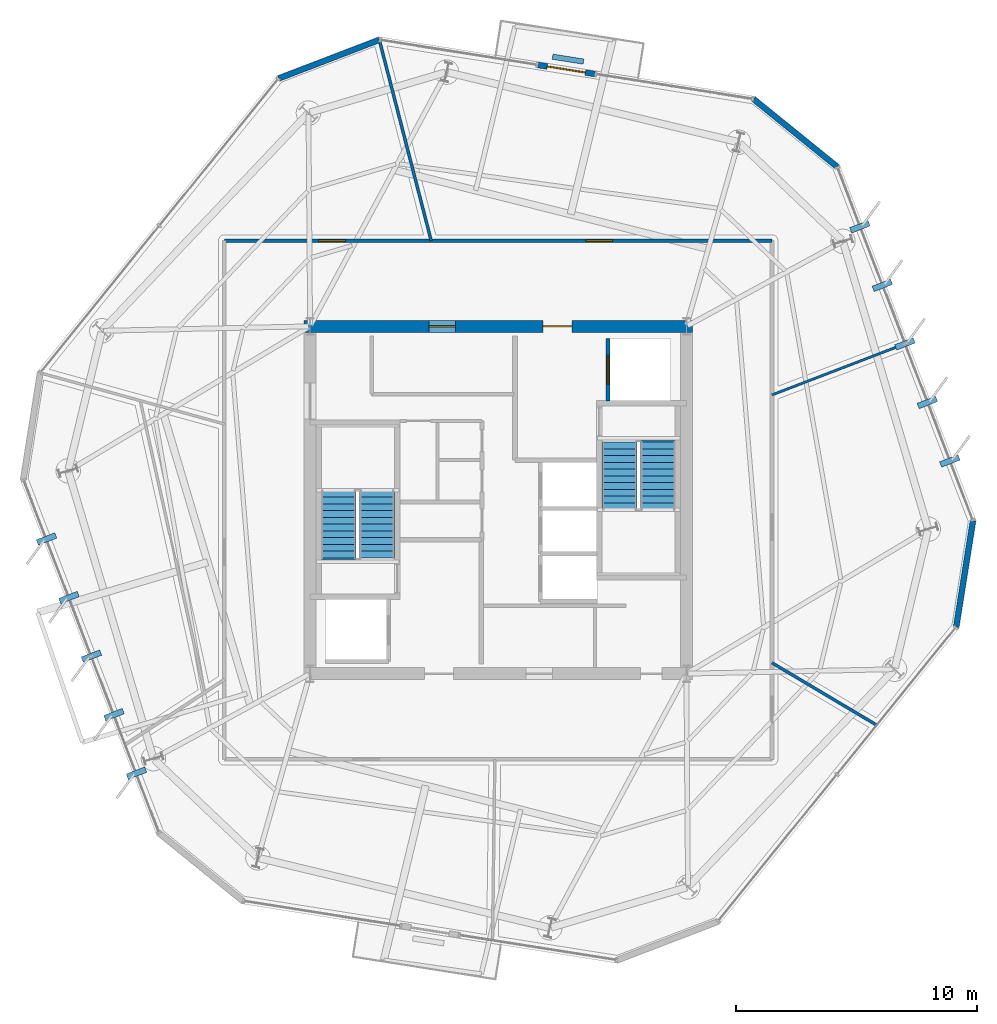
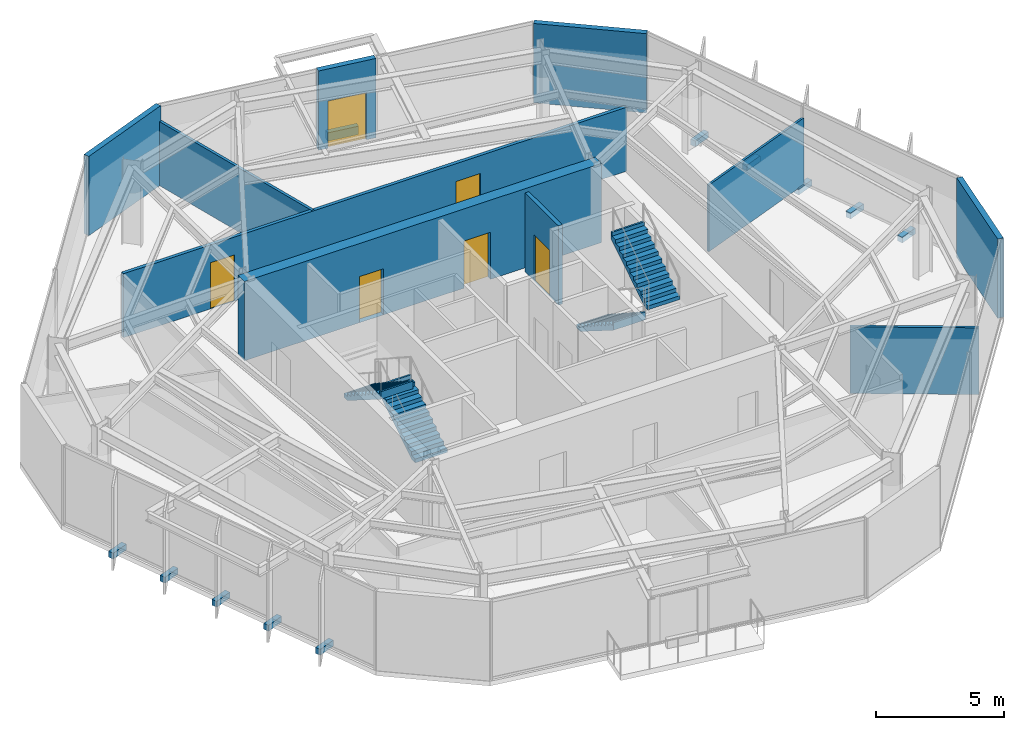
# One storey, part 8 of 11: 11 walls, 10 discrete accessories, 6 doors, 4 stair flights, 6 openings, 2 elements without a shape of their own.
"""IFC4 building model written with IfcOpenShell, lengths in metres."""

from ifc_helpers import new_model, si_unit, direction, frame, frame_2d, origin, origin_2d, place, context, subcontext, project, spatial, polyline, rectangle, outline, extrude, material, layer, layer_set, type_object, element, fill, aggregate, save


model = new_model("IFC4")

# Units and contexts
model_context = context("Model", 3, precision=1e-05, world=origin(), true_north=direction((0.0, 1.0)))
body_context = subcontext(model_context, "Body", "Model", "MODEL_VIEW")
ifc_project = project(units=[si_unit("LENGTHUNIT", "METRE"), si_unit("AREAUNIT", "SQUARE_METRE"), si_unit("VOLUMEUNIT", "CUBIC_METRE"), si_unit("PLANEANGLEUNIT", "RADIAN"), si_unit("MASSUNIT", "GRAM", prefix="KILO")], contexts=[model_context])

# Site, building, storey
site_placement = place(None, origin())
site = spatial("IfcSite", under=ifc_project, at=site_placement, CompositionType="ELEMENT")
building_placement = place(site_placement, origin())
building = spatial("IfcBuilding", under=site, at=building_placement, Name="Kranzbogen Civic Tower", CompositionType="ELEMENT")
storey_placement = place(building_placement, frame((0.0, 0.0, 228.800048828125)))
storey = spatial("IfcBuildingStorey", under=building, at=storey_placement, Name="L55", CompositionType="ELEMENT", Elevation=228.800048828125)

# Wall, openings, doors
ifc_material_1 = material(Name="Double-Stud Acoustic Gypsum Partition")
ifc_layer_1 = layer(ifc_material_1, 0.14990234375, Name="Double-Stud Acoustic Gypsum Partition")
ifc_layer_set_1 = layer_set([ifc_layer_1], Name="Double-Stud Acoustic Gypsum Partition")
wall_type_1 = type_object("IfcWallType", Name="Acoustic Corridor and Clinical Partition 150 mm", PredefinedType="PARTITIONING", material=ifc_layer_set_1)
wall_1_placement = place(storey_placement, frame((13.64990234375, 35.75, 0.0), z_axis=(0.0, 0.0, 1.0), x_axis=(1.0, 0.0, 0.0)))
wall_1 = element("IfcWall", 1, at=wall_1_placement, inside=storey, type_object=wall_type_1, Name="L55 corridor partition 01", PredefinedType="PARTITIONING", context=body_context, shape_type="SweptSolid", body=[
    extrude(rectangle(XDim=22.7001953125, YDim=0.14990234375, at=frame_2d((11.35009765625, 0.0))), origin(), (0.0, 0.0, 1.0), 3.050048828125),
])
opening_1_placement = place(wall_1_placement, frame((14.985107421875, 0.0, 0.0)))
opening_1 = element("IfcOpeningElement", 2, at=opening_1_placement, cuts=wall_1, Name="Opening D-COR60", PredefinedType="OPENING", context=body_context, shape_type="SweptSolid", body=[
    extrude(rectangle(XDim=1.10009765625, YDim=2.199951171875, at=frame_2d((0.550048828125, 1.10009765625))), frame((0.0, 0.0849609375, 0.0), z_axis=(0.0, -1.0, 0.0), x_axis=(1.0, 0.0, 0.0)), (0.0, 0.0, 1.0), 0.169921875),
])
opening_2_placement = place(wall_1_placement, frame((3.909912109375, 0.0, 0.0)))
opening_2 = element("IfcOpeningElement", 3, at=opening_2_placement, cuts=wall_1, Name="Opening D-COR60", PredefinedType="OPENING", context=body_context, shape_type="SweptSolid", body=[
    extrude(rectangle(XDim=1.10009765625, YDim=2.199951171875, at=frame_2d((0.550048828125, 1.10009765625))), frame((0.0, 0.0849609375, 0.0), z_axis=(0.0, -1.0, 0.0), x_axis=(1.0, 0.0, 0.0)), (0.0, 0.0, 1.0), 0.169921875),
])
ifc_material_2 = material(Name="Oak Timber and Fire Core", Category="wood")
door_type_1 = type_object("IfcDoorType", Name="Corridor Acoustic Fire Door 1100x2200", OperationType="NOTDEFINED", PredefinedType="DOOR", material=ifc_material_2)
door_1_placement = place(opening_1_placement, origin())
door_1 = element("IfcDoor", 4, at=door_1_placement, inside=storey, type_object=door_type_1, Name="L55 Protocol Entrance Reception door", OperationType="SINGLE_SWING_LEFT", OverallHeight=2.199951171875, OverallWidth=1.10009765625, PredefinedType="DOOR", context=body_context, shape_type="SweptSolid", body=[
    extrude(rectangle(XDim=1.10009765625, YDim=2.199951171875, at=frame_2d((0.550048828125, 1.10009765625))), frame((0.0, 0.02490234375, 0.0), z_axis=(0.0, -1.0, 0.0), x_axis=(1.0, 0.0, 0.0)), (0.0, 0.0, 1.0), 0.050048828125),
])
fill(opening_1, door_1)
door_2_placement = place(opening_2_placement, origin())
door_2 = element("IfcDoor", 5, at=door_2_placement, inside=storey, type_object=door_type_1, Name="L55 Civic Reference Library door", OperationType="SINGLE_SWING_RIGHT", OverallHeight=2.199951171875, OverallWidth=1.10009765625, PredefinedType="DOOR", context=body_context, shape_type="SweptSolid", body=[
    extrude(rectangle(XDim=1.10009765625, YDim=2.199951171875, at=frame_2d((0.550048828125, 1.10009765625))), frame((0.0, 0.02490234375, 0.0), z_axis=(0.0, -1.0, 0.0), x_axis=(1.0, 0.0, 0.0)), (0.0, 0.0, 1.0), 0.050048828125),
])
fill(opening_2, door_2)

# Walls
ifc_material_3 = material(Name="Insulated Metal-Stud Gypsum Partition")
ifc_layer_2 = layer(ifc_material_3, 0.125, Name="Insulated Metal-Stud Gypsum Partition")
ifc_layer_set_2 = layer_set([ifc_layer_2], Name="Insulated Metal-Stud Gypsum Partition")
wall_type_2 = type_object("IfcWallType", Name="Acoustic Inter-Room Partition 125 mm", PredefinedType="PARTITIONING", material=ifc_layer_set_2)
wall_2_placement = place(storey_placement, frame((22.221923828125, 35.75, 0.0), z_axis=(0.0, 0.0, 1.0), x_axis=(-0.25014469809, 0.968208464132, 0.0)))
element("IfcWall", 6, at=wall_2_placement, inside=storey, type_object=wall_type_2, Name="L55 radial room partition 01", PredefinedType="PARTITIONING", context=body_context, shape_type="SweptSolid", body=[
    extrude(rectangle(XDim=8.5830078125, YDim=0.125, at=frame_2d((4.29150390625, 0.0))), origin(), (0.0, 0.0, 1.0), 3.050048828125),
])
wall_3_placement = place(storey_placement, frame((36.35009765625, 18.25, 0.0), z_axis=(0.0, 0.0, 1.0), x_axis=(0.859461673758, -0.511200187148, 0.0)))
element("IfcWall", 7, at=wall_3_placement, inside=storey, type_object=wall_type_2, Name="L55 radial room partition 05", PredefinedType="PARTITIONING", context=body_context, shape_type="SweptSolid", body=[
    extrude(rectangle(XDim=5.0390625, YDim=0.125, at=frame_2d((2.51953125, 0.0))), origin(), (0.0, 0.0, 1.0), 3.179931640625),
])
ifc_material_4 = material(Name="Architectural Precast Terracotta Concrete C40/50", Category="masonry")
ifc_layer_3 = layer(ifc_material_4, 0.219970703125, Name="Architectural Precast Terracotta Concrete C40/50")
ifc_layer_set_3 = layer_set([ifc_layer_3], Name="Architectural Precast Terracotta Concrete C40/50")
wall_type_3 = type_object("IfcWallType", Name="Architectural Tree Planter Kerb Wall 220 mm", PredefinedType="USERDEFINED", material=ifc_layer_set_3)
wall_4_placement = place(storey_placement, frame((28.537109375, 43.175048828125, 0.0), z_axis=(0.0, 0.0, 1.0), x_axis=(-0.98763322112, 0.156782079779, 0.0)))
element("IfcWall", 8, at=wall_4_placement, inside=storey, type_object=wall_type_3, Name="L55 landscaped tree balcony planter L55-TB2", ObjectType="PLANTER_WALL", PredefinedType="USERDEFINED", context=body_context, shape_type="SweptSolid", body=[
    extrude(rectangle(XDim=1.30029296875, YDim=0.219970703125, at=frame_2d((0.650146484375, 0.0))), origin(), (0.0, 0.0, 1.0), 0.39990234375),
])

# Wall, openings, doors
ifc_material_5 = material(Name="Concrete C45/55", Category="concrete")
ifc_layer_4 = layer(ifc_material_5, 0.5, Name="Concrete C45/55")
ifc_layer_set_4 = layer_set([ifc_layer_4], Name="Concrete C45/55")
wall_type_4 = type_object("IfcWallType", Name="Central Core Shear Wall 500 mm", PredefinedType="SHEAR", material=ifc_layer_set_4)
wall_5_placement = place(storey_placement, frame((33.050048828125, 32.199951171875, 0.0), z_axis=(0.0, 0.0, 1.0), x_axis=(-1.0, 0.0, 0.0)))
wall_5 = element("IfcWall", 9, at=wall_5_placement, inside=storey, type_object=wall_type_4, Name="L55 central core North shear wall", PredefinedType="SHEAR", context=body_context, shape_type="SweptSolid", body=[
    extrude(rectangle(XDim=16.10009765625, YDim=0.5, at=frame_2d((8.050048828125, 0.0))), origin(), (0.0, 0.0, 1.0), 3.780029296875),
])
opening_3_placement = place(wall_5_placement, frame((5.0, 0.0, 0.0)))
opening_3 = element("IfcOpeningElement", 10, at=opening_3_placement, cuts=wall_5, Name="Opening D-EX120", PredefinedType="OPENING", context=body_context, shape_type="SweptSolid", body=[
    extrude(rectangle(XDim=1.199951171875, YDim=2.25, at=frame_2d((0.60009765625, 1.125))), frame((0.0, 0.260009765625, 0.0), z_axis=(0.0, -1.0, 0.0), x_axis=(1.0, 0.0, 0.0)), (0.0, 0.0, 1.0), 0.52001953125),
])
opening_4_placement = place(wall_5_placement, frame((9.824951171875, 0.0, 0.0)))
opening_4 = element("IfcOpeningElement", 11, at=opening_4_placement, cuts=wall_5, Name="Opening D-COR60", PredefinedType="OPENING", context=body_context, shape_type="SweptSolid", body=[
    extrude(rectangle(XDim=1.10009765625, YDim=2.199951171875, at=frame_2d((0.550048828125, 1.10009765625))), frame((0.0, 0.260009765625, 0.0), z_axis=(0.0, -1.0, 0.0), x_axis=(1.0, 0.0, 0.0)), (0.0, 0.0, 1.0), 0.52001953125),
])
door_3_placement = place(opening_4_placement, origin())
door_3 = element("IfcDoor", 12, at=door_3_placement, inside=storey, type_object=door_type_1, Name="L55 DAT1 comms room door", OperationType="SINGLE_SWING_LEFT", OverallHeight=2.199951171875, OverallWidth=1.10009765625, PredefinedType="DOOR", context=body_context, shape_type="SweptSolid", body=[
    extrude(rectangle(XDim=1.10009765625, YDim=2.199951171875, at=frame_2d((0.550048828125, 1.10009765625))), frame((0.0, 0.02490234375, 0.0), z_axis=(0.0, -1.0, 0.0), x_axis=(1.0, 0.0, 0.0)), (0.0, 0.0, 1.0), 0.050048828125),
])
fill(opening_4, door_3)
ifc_material_6 = material(Name="Steel S355", Category="steel")
door_type_2 = type_object("IfcDoorType", Name="Exit Passageway Fire Door 1200x2250", OperationType="NOTDEFINED", PredefinedType="DOOR", material=ifc_material_6)
door_4_placement = place(opening_3_placement, origin())
door_4 = element("IfcDoor", 13, at=door_4_placement, inside=storey, type_object=door_type_2, Name="L55 East firefighting lobby corridor door", OperationType="SINGLE_SWING_RIGHT", OverallHeight=2.25, OverallWidth=1.199951171875, PredefinedType="DOOR", context=body_context, shape_type="SweptSolid", body=[
    extrude(rectangle(XDim=1.199951171875, YDim=2.25, at=frame_2d((0.60009765625, 1.125))), frame((0.0, 0.02490234375, 0.0), z_axis=(0.0, -1.0, 0.0), x_axis=(1.0, 0.0, 0.0)), (0.0, 0.0, 1.0), 0.050048828125),
])
fill(opening_3, door_4)

# Wall
ifc_material_7 = material(Name="Demountable Aluminium and Gypsum Partition", Category="aluminium")
ifc_layer_5 = layer(ifc_material_7, 0.10009765625, Name="Demountable Aluminium and Gypsum Partition")
ifc_layer_set_5 = layer_set([ifc_layer_5], Name="Demountable Aluminium and Gypsum Partition")
wall_type_5 = type_object("IfcWallType", Name="Demountable Office Partition 100 mm", PredefinedType="MOVABLE", material=ifc_layer_set_5)
wall_6_placement = place(storey_placement, frame((36.35009765625, 29.35693359375, 0.0), z_axis=(0.0, 0.0, 1.0), x_axis=(0.933551363276, 0.358443652652, 0.0)))
element("IfcWall", 14, at=wall_6_placement, inside=storey, type_object=wall_type_5, Name="L55 radial room partition 06", PredefinedType="MOVABLE", context=body_context, shape_type="SweptSolid", body=[
    extrude(rectangle(XDim=5.897705078125, YDim=0.10009765625, at=frame_2d((2.94873046875, 0.0))), origin(), (0.0, 0.0, 1.0), 3.179931640625),
])

# Wall, opening, door
ifc_material_8 = material(Name="Gypsum Fireboard Shaftliner")
ifc_layer_6 = layer(ifc_material_8, 0.175048828125, Name="Gypsum Fireboard Shaftliner")
ifc_layer_set_6 = layer_set([ifc_layer_6], Name="Gypsum Fireboard Shaftliner")
wall_type_6 = type_object("IfcWallType", Name="Fire-Rated Lift and Service Shaft Wall 175 mm", PredefinedType="PARTITIONING", material=ifc_layer_set_6)
wall_7_placement = place(storey_placement, frame((29.550048828125, 29.10009765625, 0.0), z_axis=(0.0, 0.0, 1.0), x_axis=(0.0, 1.0, 0.0)))
wall_7 = element("IfcWall", 15, at=wall_7_placement, inside=storey, type_object=wall_type_6, Name="L55 lift FF-02 landing wall", PredefinedType="PARTITIONING", context=body_context, shape_type="SweptSolid", body=[
    extrude(rectangle(XDim=2.599853515625, YDim=0.175048828125, at=frame_2d((1.2998046875, 0.0))), origin(), (0.0, 0.0, 1.0), 3.780029296875),
])
opening_5_placement = place(wall_7_placement, frame((0.699951171875, 0.0, 0.0)))
opening_5 = element("IfcOpeningElement", 16, at=opening_5_placement, cuts=wall_7, Name="Opening LD-FF-02", PredefinedType="OPENING", context=body_context, shape_type="SweptSolid", body=[
    extrude(rectangle(XDim=1.199951171875, YDim=2.199951171875, at=frame_2d((0.60009765625, 1.10009765625))), frame((0.0, 0.09765625, 0.0), z_axis=(0.0, -1.0, 0.0), x_axis=(1.0, 0.0, 0.0)), (0.0, 0.0, 1.0), 0.195068359375),
])
ifc_material_9 = material(Name="Pale Anodised Aluminium", Category="aluminium")
door_type_3 = type_object("IfcDoorType", Name="Firefighting and Stretcher Lift Sliding Landing Door 1200x2200", OperationType="DOUBLE_DOOR_SLIDING", PredefinedType="DOOR", material=ifc_material_9)
door_5_placement = place(opening_5_placement, origin())
door_5 = element("IfcDoor", 17, at=door_5_placement, inside=storey, type_object=door_type_3, Name="L55 lift FF-02 sliding landing door", OperationType="DOUBLE_DOOR_SLIDING", OverallHeight=2.199951171875, OverallWidth=1.199951171875, PredefinedType="DOOR", context=body_context, shape_type="SweptSolid", body=[
    extrude(rectangle(XDim=1.199951171875, YDim=2.199951171875, at=frame_2d((0.60009765625, 1.10009765625))), frame((0.0, 0.02490234375, 0.0), z_axis=(0.0, -1.0, 0.0), x_axis=(1.0, 0.0, 0.0)), (0.0, 0.0, 1.0), 0.050048828125),
])
fill(opening_5, door_5)

ifc_layer_7 = layer(ifc_material_9, 0.239990234375, Name="Pale Anodised Aluminium")
ifc_layer_set_7 = layer_set([ifc_layer_7], Name="Pale Anodised Aluminium")
wall_type_7 = type_object("IfcWallType", Name="Insulated Aluminium Facade Portal Wall 240 mm", PredefinedType="STANDARD", material=ifc_layer_set_7)
wall_8_placement = place(storey_placement, frame((29.011962890625, 42.660888671875, 0.0), z_axis=(0.0, 0.0, 1.0), x_axis=(-0.987632277634, 0.156788023059, 0.0)))
wall_8 = element("IfcWall", 18, at=wall_8_placement, inside=storey, type_object=wall_type_7, Name="L55 exterior entrance portal wall 1", PredefinedType="STANDARD", context=body_context, shape_type="SweptSolid", body=[
    extrude(rectangle(XDim=2.399658203125, YDim=0.239990234375, at=frame_2d((1.19970703125, 0.0))), origin(), (0.0, 0.0, 1.0), 3.780029296875),
])
opening_6_placement = place(wall_8_placement, frame((0.39990234375, 0.0, 0.0)))
opening_6 = element("IfcOpeningElement", 19, at=opening_6_placement, cuts=wall_8, Name="Opening D-TER", PredefinedType="OPENING", context=body_context, shape_type="SweptSolid", body=[
    extrude(rectangle(XDim=1.60009765625, YDim=2.25, at=frame_2d((0.800048828125, 1.125))), frame((0.0, 0.1298828125, 0.0), z_axis=(0.0, -1.0, 0.0), x_axis=(1.0, 0.0, 0.0)), (0.0, 0.0, 1.0), 0.260009765625),
])
ifc_material_10 = material(Name="Anodised Bronze and Triple Glass", Category="glass")
door_type_4 = type_object("IfcDoorType", Name="Glazed Terrace and Balcony Double Door 1600x2250", OperationType="DOUBLE_DOOR_SINGLE_SWING", PredefinedType="DOOR", material=ifc_material_10)
door_6_placement = place(opening_6_placement, frame((1.60009765625, 0.0, 0.0), z_axis=(0.0, 0.0, 1.0), x_axis=(-1.0, 0.0, 0.0)))
door_6 = element("IfcDoor", 20, at=door_6_placement, inside=storey, type_object=door_type_4, Name="L55 tree balcony access door L55-TB2", OperationType="DOUBLE_DOOR_SINGLE_SWING", OverallHeight=2.25, OverallWidth=1.60009765625, PredefinedType="DOOR", context=body_context, shape_type="SweptSolid", body=[
    extrude(rectangle(XDim=1.60009765625, YDim=2.25, at=frame_2d((0.800048828125, 1.125))), frame((0.0, 0.02490234375, 0.0), z_axis=(0.0, -1.0, 0.0), x_axis=(1.0, 0.0, 0.0)), (0.0, 0.0, 1.0), 0.050048828125),
])
fill(opening_6, door_6)

# Walls
wall_9_placement = place(storey_placement, frame((20.070068359375, 44.076904296875, 0.0), z_axis=(0.0, 0.0, 1.0), x_axis=(-0.933677607011, -0.358114682982, 0.0)))
element("IfcWall", 21, at=wall_9_placement, inside=storey, type_object=wall_type_7, Name="L55 chamfered corner facade spandrel 1", PredefinedType="STANDARD", context=body_context, shape_type="SweptSolid", body=[
    extrude(rectangle(XDim=4.467529296875, YDim=0.239990234375, at=frame_2d((2.23388671875, 0.0))), origin(), (0.0, 0.0, 1.0), 3.780029296875),
])
wall_10_placement = place(storey_placement, frame((43.987060546875, 19.72998046875, 0.0), z_axis=(0.0, 0.0, 1.0), x_axis=(0.156402986275, 0.987693325828, 0.0)))
element("IfcWall", 22, at=wall_10_placement, inside=storey, type_object=wall_type_7, Name="L55 chamfered corner facade spandrel 5", PredefinedType="STANDARD", context=body_context, shape_type="SweptSolid", body=[
    extrude(rectangle(XDim=4.468994140625, YDim=0.239990234375, at=frame_2d((2.234375, 0.0))), origin(), (0.0, 0.0, 1.0), 3.780029296875),
])
wall_11_placement = place(storey_placement, frame((39.056884765625, 38.80908203125, 0.0), z_axis=(0.0, 0.0, 1.0), x_axis=(-0.777177433654, 0.629281524136, 0.0)))
element("IfcWall", 23, at=wall_11_placement, inside=storey, type_object=wall_type_7, Name="L55 chamfered corner facade spandrel 6", PredefinedType="STANDARD", context=body_context, shape_type="SweptSolid", body=[
    extrude(rectangle(XDim=4.468505859375, YDim=0.239990234375, at=frame_2d((2.234375, 0.0))), origin(), (0.0, 0.0, 1.0), 3.780029296875),
])

# Stair, stair flights
ifc_material_11 = material(Name="Precast concrete C40/50", Category="concrete")
stair_type_1 = type_object("IfcStairType", Name="Tower Core Pressurized Dogleg Stair 1450", PredefinedType="HALF_TURN_STAIR", material=ifc_material_11)
stair_1_placement = place(storey_placement, origin())
stair_1 = element("IfcStair", 24, at=stair_1_placement, inside=storey, type_object=stair_type_1, Name="L55 Tower Core Pressurized Stair 1", PredefinedType="HALF_TURN_STAIR")
stair_flight_type = type_object("IfcStairFlightType", Name="Precast Concrete Stair Flight R180", PredefinedType="STRAIGHT", material=ifc_material_11)
stair_flight_1_placement = place(storey_placement, frame((19.97509765625, 22.60009765625, 0.0), z_axis=(0.0, 0.0, 1.0), x_axis=(0.0, 1.0, 0.0)))
stair_flight_1 = element("IfcStairFlight", 25, at=stair_flight_1_placement, type_object=stair_flight_type, Name="ST-T1 flight 1", NumberOfRisers=11, NumberOfTreads=10, PredefinedType="STRAIGHT", RiserHeight=0.181818182, TreadLength=0.28, context=body_context, shape_type="SweptSolid", body=[
    extrude(outline(polyline([(0.0, 0.0), (0.0, 0.181884765625), (0.280029296875, 0.181884765625), (0.280029296875, 0.363525390625), (0.56005859375, 0.363525390625), (0.56005859375, 0.54541015625), (0.840087890625, 0.54541015625), (0.840087890625, 0.727294921875), (1.1201171875, 0.727294921875), (1.1201171875, 0.9091796875), (1.39990234375, 0.9091796875), (1.39990234375, 1.0908203125), (1.679931640625, 1.0908203125), (1.679931640625, 1.272705078125), (1.9599609375, 1.272705078125), (1.9599609375, 1.45458984375), (2.239990234375, 1.45458984375), (2.239990234375, 1.636474609375), (2.52001953125, 1.636474609375), (2.52001953125, 1.818115234375), (2.800048828125, 1.818115234375), (2.800048828125, 2.0), (2.880126953125, 2.0), (2.880126953125, 1.639404296875), (0.275146484375, 0.0), (0.0, 0.0)])), frame((0.0, 0.72509765625, 0.0), z_axis=(0.0, -1.0, 0.0), x_axis=(1.0, 0.0, 0.0)), (0.0, 0.0, 1.0), 1.449951171875),
])
stair_flight_2_placement = place(storey_placement, frame((18.375, 25.39990234375, 2.0), z_axis=(0.0, 0.0, 1.0), x_axis=(0.0, -1.0, 0.0)))
stair_flight_2 = element("IfcStairFlight", 26, at=stair_flight_2_placement, type_object=stair_flight_type, Name="ST-T1 flight 2", NumberOfRisers=11, NumberOfTreads=10, PredefinedType="STRAIGHT", RiserHeight=0.181818182, TreadLength=0.28, context=body_context, shape_type="SweptSolid", body=[
    extrude(outline(polyline([(0.0, 0.0), (0.0, 0.181884765625), (0.280029296875, 0.181884765625), (0.280029296875, 0.363525390625), (0.56005859375, 0.363525390625), (0.56005859375, 0.54541015625), (0.840087890625, 0.54541015625), (0.840087890625, 0.727294921875), (1.1201171875, 0.727294921875), (1.1201171875, 0.9091796875), (1.39990234375, 0.9091796875), (1.39990234375, 1.0908203125), (1.679931640625, 1.0908203125), (1.679931640625, 1.272705078125), (1.9599609375, 1.272705078125), (1.9599609375, 1.45458984375), (2.239990234375, 1.45458984375), (2.239990234375, 1.636474609375), (2.52001953125, 1.636474609375), (2.52001953125, 1.818115234375), (2.800048828125, 1.818115234375), (2.800048828125, 2.0), (2.880126953125, 2.0), (2.880126953125, 1.639404296875), (0.275146484375, 0.0), (0.0, 0.0)])), frame((0.0, 0.72509765625, 0.0), z_axis=(0.0, -1.0, 0.0), x_axis=(1.0, 0.0, 0.0)), (0.0, 0.0, 1.0), 1.449951171875),
])
aggregate(stair_1, [stair_flight_1, stair_flight_2])

stair_type_2 = type_object("IfcStairType", Name="Tower Core Secondary Dogleg Stair 1450", PredefinedType="HALF_TURN_STAIR", material=ifc_material_11)
stair_2_placement = place(storey_placement, origin())
stair_2 = element("IfcStair", 27, at=stair_2_placement, inside=storey, type_object=stair_type_2, Name="L55 Tower Core Pressurized Stair 2", PredefinedType="HALF_TURN_STAIR")
stair_flight_3_placement = place(storey_placement, frame((30.02490234375, 27.39990234375, 0.0), z_axis=(0.0, 0.0, 1.0), x_axis=(0.0, -1.0, 0.0)))
stair_flight_3 = element("IfcStairFlight", 28, at=stair_flight_3_placement, type_object=stair_flight_type, Name="ST-T2 flight 1", NumberOfRisers=11, NumberOfTreads=10, PredefinedType="STRAIGHT", RiserHeight=0.181818182, TreadLength=0.28, context=body_context, shape_type="SweptSolid", body=[
    extrude(outline(polyline([(0.0, 0.0), (0.0, 0.181884765625), (0.280029296875, 0.181884765625), (0.280029296875, 0.363525390625), (0.56005859375, 0.363525390625), (0.56005859375, 0.54541015625), (0.840087890625, 0.54541015625), (0.840087890625, 0.727294921875), (1.1201171875, 0.727294921875), (1.1201171875, 0.9091796875), (1.39990234375, 0.9091796875), (1.39990234375, 1.0908203125), (1.679931640625, 1.0908203125), (1.679931640625, 1.272705078125), (1.9599609375, 1.272705078125), (1.9599609375, 1.45458984375), (2.239990234375, 1.45458984375), (2.239990234375, 1.636474609375), (2.52001953125, 1.636474609375), (2.52001953125, 1.818115234375), (2.800048828125, 1.818115234375), (2.800048828125, 2.0), (2.880126953125, 2.0), (2.880126953125, 1.639404296875), (0.275146484375, 0.0), (0.0, 0.0)])), frame((0.0, 0.72509765625, 0.0), z_axis=(0.0, -1.0, 0.0), x_axis=(1.0, 0.0, 0.0)), (0.0, 0.0, 1.0), 1.449951171875),
])
stair_flight_4_placement = place(storey_placement, frame((31.625, 24.60009765625, 2.0), z_axis=(0.0, 0.0, 1.0), x_axis=(0.0, 1.0, 0.0)))
stair_flight_4 = element("IfcStairFlight", 29, at=stair_flight_4_placement, type_object=stair_flight_type, Name="ST-T2 flight 2", NumberOfRisers=11, NumberOfTreads=10, PredefinedType="STRAIGHT", RiserHeight=0.181818182, TreadLength=0.28, context=body_context, shape_type="SweptSolid", body=[
    extrude(outline(polyline([(0.0, 0.0), (0.0, 0.181884765625), (0.280029296875, 0.181884765625), (0.280029296875, 0.363525390625), (0.56005859375, 0.363525390625), (0.56005859375, 0.54541015625), (0.840087890625, 0.54541015625), (0.840087890625, 0.727294921875), (1.1201171875, 0.727294921875), (1.1201171875, 0.9091796875), (1.39990234375, 0.9091796875), (1.39990234375, 1.0908203125), (1.679931640625, 1.0908203125), (1.679931640625, 1.272705078125), (1.9599609375, 1.272705078125), (1.9599609375, 1.45458984375), (2.239990234375, 1.45458984375), (2.239990234375, 1.636474609375), (2.52001953125, 1.636474609375), (2.52001953125, 1.818115234375), (2.800048828125, 1.818115234375), (2.800048828125, 2.0), (2.880126953125, 2.0), (2.880126953125, 1.639404296875), (0.275146484375, 0.0), (0.0, 0.0)])), frame((0.0, 0.72509765625, 0.0), z_axis=(0.0, -1.0, 0.0), x_axis=(1.0, 0.0, 0.0)), (0.0, 0.0, 1.0), 1.449951171875),
])
aggregate(stair_2, [stair_flight_3, stair_flight_4])

# Discrete accessories
discrete_accessory_type = type_object("IfcDiscreteAccessoryType", Name="Structural Curtain-Wall Fin Support Bracket", PredefinedType="BRACKET", material=ifc_material_6)
for number, where, z_axis, x_axis, name in (
    (30, (6.27587890625, 23.382080078125, -0.25), (0.0, 0.0, 1.0), (-0.933580426497, -0.358367949545, 0.0), "L55 facade fin support bracket F3-1"),
    (31, (7.20703125, 20.955078125, -0.25), (0.0, 0.0, 1.0), (-0.933580426497, -0.358367949545, 0.0), "L55 facade fin support bracket F3-2"),
    (32, (8.138916015625, 18.528076171875, -0.25), (0.0, 0.0, 1.0), (-0.933580426497, -0.358367949545, 0.0), "L55 facade fin support bracket F3-3"),
    (33, (9.071044921875, 16.10009765625, -0.25), (0.0, 0.0, 1.0), (-0.933580426497, -0.358367949545, 0.0), "L55 facade fin support bracket F3-4"),
    (34, (10.0029296875, 13.673095703125, -0.25), (0.0, 0.0, 1.0), (-0.933580426497, -0.358367949545, 0.0), "L55 facade fin support bracket F3-5"),
    (35, (43.72412109375, 26.617919921875, -0.25), (0.0, 0.0, 1.0), (0.933580426497, 0.358367949545, 0.0), "L55 facade fin support bracket F6-1"),
    (36, (42.79296875, 29.044921875, -0.25), (0.0, 0.0, 1.0), (0.933580426497, 0.358367949545, 0.0), "L55 facade fin support bracket F6-2"),
    (37, (41.861083984375, 31.471923828125, -0.25), (0.0, 0.0, 1.0), (0.933580426497, 0.358367949545, 0.0), "L55 facade fin support bracket F6-3"),
    (38, (40.928955078125, 33.89990234375, -0.25), (0.0, 0.0, 1.0), (0.933580426497, 0.358367949545, 0.0), "L55 facade fin support bracket F6-4"),
    (39, (39.9970703125, 36.326904296875, -0.25), (0.0, 0.0, 1.0), (0.933580426497, 0.358367949545, 0.0), "L55 facade fin support bracket F6-5"),
):
    element("IfcDiscreteAccessory", number, at=place(storey_placement, frame(where, z_axis=z_axis, x_axis=x_axis)), inside=storey, type_object=discrete_accessory_type, Name=name, PredefinedType="BRACKET", context=body_context, shape_type="SweptSolid", body=[
        extrude(rectangle(XDim=0.820068359375, YDim=0.239990234375, at=origin_2d()), origin(), (0.0, 0.0, 1.0), 0.280029296875),
    ])

save(model, "model.ifc")
